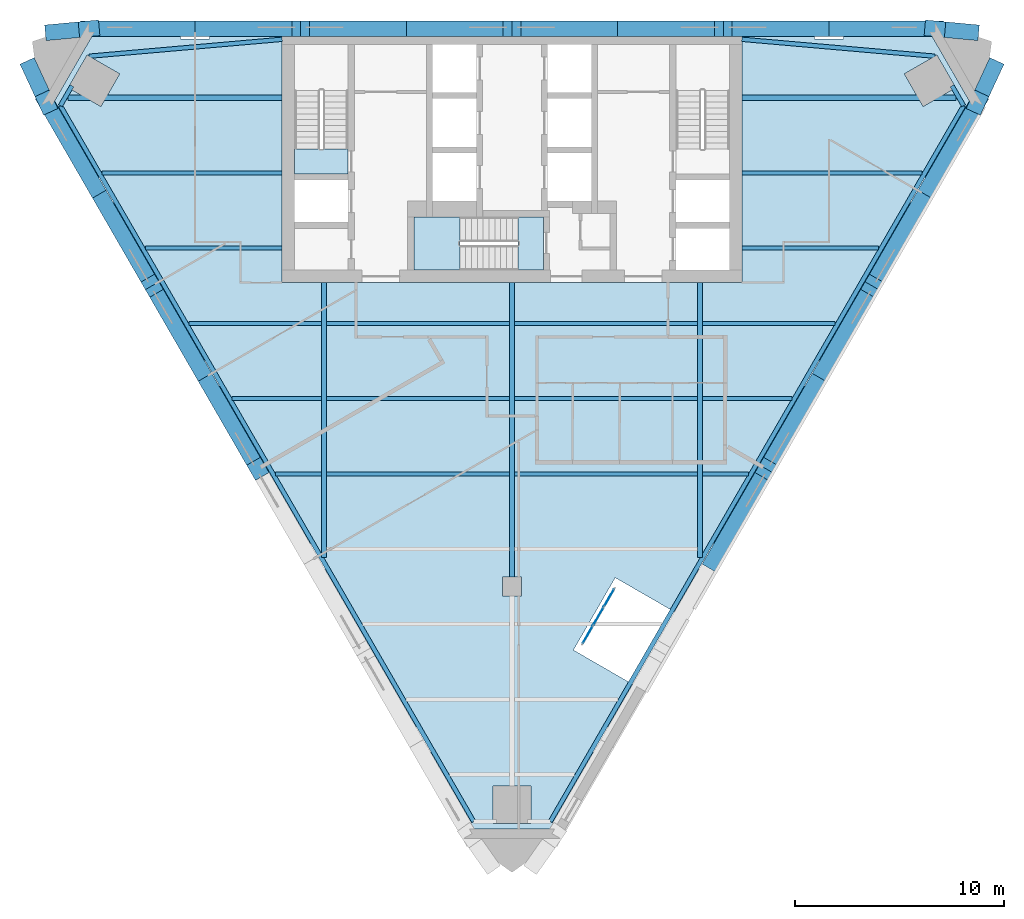
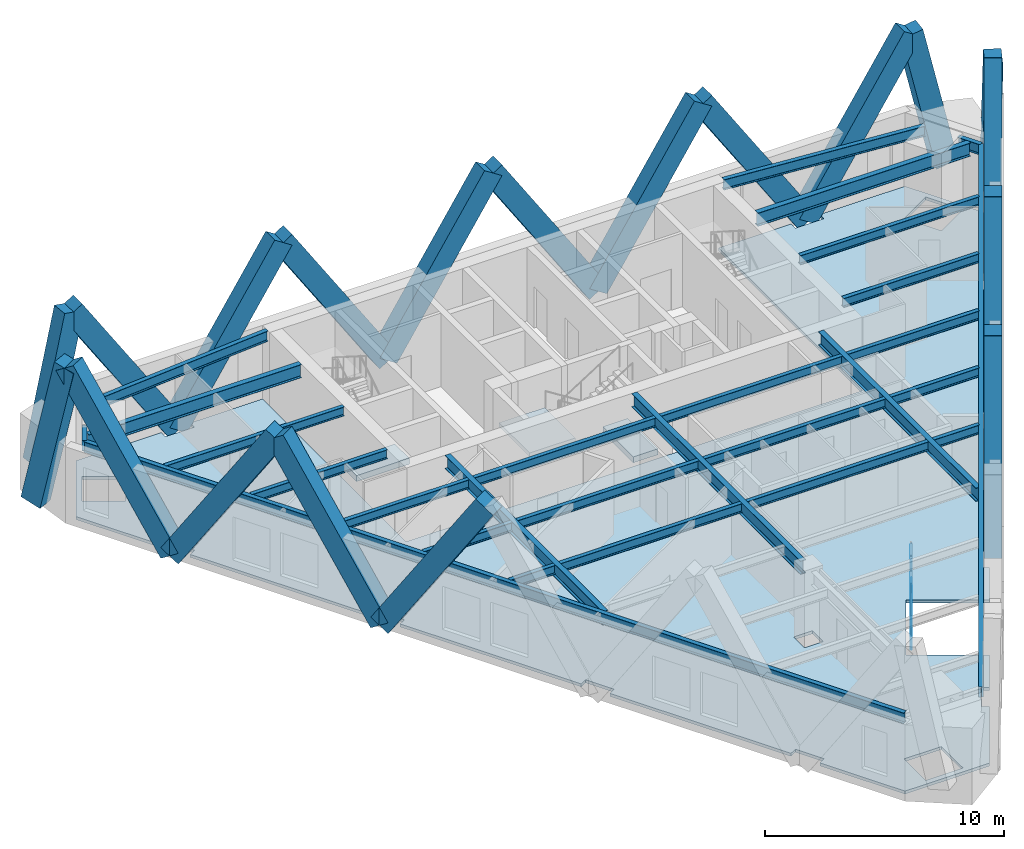
# One storey, part 3 of 11: 27 beams, 21 members, 6 plates, 4 slabs, 2 elements without a shape of their own.
"""IFC4 building model written with IfcOpenShell, lengths in metres."""

from ifc_helpers import new_model, si_unit, direction, frame, origin, origin_2d, place, context, subcontext, project, spatial, polyline, rectangle, i_section, outline, extrude, material, layer, layer_set, material_profile, profile_set, type_object, element, aggregate, save


model = new_model("IFC4")

# Units and contexts
model_context = context("Model", 3, precision=1e-05, world=origin(), true_north=direction((0.0, 1.0)))
body_context = subcontext(model_context, "Body", "Model", "MODEL_VIEW")
ifc_project = project(units=[si_unit("LENGTHUNIT", "METRE"), si_unit("AREAUNIT", "SQUARE_METRE"), si_unit("VOLUMEUNIT", "CUBIC_METRE"), si_unit("PLANEANGLEUNIT", "RADIAN"), si_unit("MASSUNIT", "GRAM", prefix="KILO")], contexts=[model_context])

# Site, building, storey
site_placement = place(None, origin())
site = spatial("IfcSite", under=ifc_project, at=site_placement, CompositionType="ELEMENT")
building_placement = place(site_placement, origin())
building = spatial("IfcBuilding", under=site, at=building_placement, Name="Aloe Facet Convention Tower", CompositionType="ELEMENT")
storey_placement = place(building_placement, frame((0.0, 0.0, 167.60009765625)))
storey = spatial("IfcBuildingStorey", under=building, at=storey_placement, Name="L42", CompositionType="ELEMENT", Elevation=167.60009765625)

# Beams
ifc_material_1 = material(Name="Steel S355", Category="steel")
ifc_material_profile_1 = material_profile(ifc_material_1, i_section(OverallWidth=0.19140625, OverallDepth=0.4599609375, WebThickness=0.010009765625, FlangeThickness=0.01611328125, FilletRadius=0.01025390625, at=origin_2d()), Name="UB 457x191x82")
ifc_profile_set_1 = profile_set([ifc_material_profile_1], Name="Steel S355")
beam_type_1 = type_object("IfcBeamType", Name="SF-B-UB457x191x82", PredefinedType="BEAM", material=ifc_profile_set_1)
beam_1_placement = place(storey_placement, frame((60.373779296875, 127.800048828125, 3.52001953125), z_axis=(1.0, 0.0, 0.0), x_axis=(0.0, 1.0, 0.0)))
element("IfcBeam", 1, at=beam_1_placement, inside=storey, type_object=beam_type_1, Name="Floor beam FB-Z3C-015", PredefinedType="BEAM", context=body_context, shape_type="SweptSolid", body=[
    extrude(i_section(OverallWidth=0.19140625, OverallDepth=0.4599609375, WebThickness=0.010009765625, FlangeThickness=0.01611328125, FilletRadius=0.01025390625, at=origin_2d()), origin(), (0.0, 0.0, 1.0), 8.626220703125),
])
beam_2_placement = place(storey_placement, frame((62.452392578125, 124.199951171875, 3.52001953125), z_axis=(1.0, 0.0, 0.0), x_axis=(0.0, 1.0, 0.0)))
element("IfcBeam", 2, at=beam_2_placement, inside=storey, type_object=beam_type_1, Name="Floor beam FB-Z3C-016", PredefinedType="BEAM", context=body_context, shape_type="SweptSolid", body=[
    extrude(i_section(OverallWidth=0.19140625, OverallDepth=0.4599609375, WebThickness=0.010009765625, FlangeThickness=0.01611328125, FilletRadius=0.01025390625, at=origin_2d()), origin(), (0.0, 0.0, 1.0), 6.547607421875),
])
beam_3_placement = place(storey_placement, frame((64.53076171875, 120.60009765625, 3.52001953125), z_axis=(1.0, 0.0, 0.0), x_axis=(0.0, 1.0, 0.0)))
element("IfcBeam", 3, at=beam_3_placement, inside=storey, type_object=beam_type_1, Name="Floor beam FB-Z3C-017", PredefinedType="BEAM", context=body_context, shape_type="SweptSolid", body=[
    extrude(i_section(OverallWidth=0.19140625, OverallDepth=0.4599609375, WebThickness=0.010009765625, FlangeThickness=0.01611328125, FilletRadius=0.01025390625, at=origin_2d()), origin(), (0.0, 0.0, 1.0), 6.3427734375),
])
beam_4_placement = place(storey_placement, frame((66.609130859375, 117.0, 3.52001953125), z_axis=(1.0, 0.0, 0.0), x_axis=(0.0, 1.0, 0.0)))
element("IfcBeam", 4, at=beam_4_placement, inside=storey, type_object=beam_type_1, Name="Floor beam FB-Z3C-018", PredefinedType="BEAM", context=body_context, shape_type="SweptSolid", body=[
    extrude(i_section(OverallWidth=0.19140625, OverallDepth=0.4599609375, WebThickness=0.010009765625, FlangeThickness=0.01611328125, FilletRadius=0.01025390625, at=origin_2d()), origin(), (0.0, 0.0, 1.0), 4.264404296875),
])
beam_5_placement = place(storey_placement, frame((68.687744140625, 113.39990234375, 3.52001953125), z_axis=(1.0, 0.0, 0.0), x_axis=(0.0, 1.0, 0.0)))
element("IfcBeam", 5, at=beam_5_placement, inside=storey, type_object=beam_type_1, Name="Floor beam FB-Z3C-019", PredefinedType="BEAM", context=body_context, shape_type="SweptSolid", body=[
    extrude(i_section(OverallWidth=0.19140625, OverallDepth=0.4599609375, WebThickness=0.010009765625, FlangeThickness=0.01611328125, FilletRadius=0.01025390625, at=origin_2d()), origin(), (0.0, 0.0, 1.0), 2.185791015625),
])
for number, where, z_axis, x_axis, name in (
    (6, (71.12646484375, 113.39990234375, 3.52001953125), (1.0, 0.0, 0.0), (0.0, 1.0, 0.0), "Floor beam FB-Z3C-021"),
    (7, (71.12646484375, 117.0, 3.52001953125), (1.0, 0.0, 0.0), (0.0, 1.0, 0.0), "Floor beam FB-Z3C-022"),
    (8, (71.12646484375, 120.60009765625, 3.52001953125), (1.0, 0.0, 0.0), (0.0, 1.0, 0.0), "Floor beam FB-Z3C-023"),
    (9, (80.12646484375, 113.39990234375, 3.52001953125), (1.0, 0.0, 0.0), (0.0, 1.0, 0.0), "Floor beam FB-Z3C-031"),
    (10, (80.12646484375, 117.0, 3.52001953125), (1.0, 0.0, 0.0), (0.0, 1.0, 0.0), "Floor beam FB-Z3C-032"),
    (11, (80.12646484375, 120.60009765625, 3.52001953125), (1.0, 0.0, 0.0), (0.0, 1.0, 0.0), "Floor beam FB-Z3C-033"),
):
    element("IfcBeam", number, at=place(storey_placement, frame(where, z_axis=z_axis, x_axis=x_axis)), inside=storey, type_object=beam_type_1, Name=name, PredefinedType="BEAM", context=body_context, shape_type="SweptSolid", body=[
        extrude(i_section(OverallWidth=0.19140625, OverallDepth=0.4599609375, WebThickness=0.010009765625, FlangeThickness=0.01611328125, FilletRadius=0.01025390625, at=origin_2d()), origin(), (0.0, 0.0, 1.0), 8.7470703125),
    ])
beam_6_placement = place(storey_placement, frame((89.12646484375, 113.39990234375, 3.52001953125), z_axis=(1.0, 0.0, 0.0), x_axis=(0.0, 1.0, 0.0)))
element("IfcBeam", 12, at=beam_6_placement, inside=storey, type_object=beam_type_1, Name="Floor beam FB-Z3C-034", PredefinedType="BEAM", context=body_context, shape_type="SweptSolid", body=[
    extrude(i_section(OverallWidth=0.19140625, OverallDepth=0.4599609375, WebThickness=0.010009765625, FlangeThickness=0.01611328125, FilletRadius=0.01025390625, at=origin_2d()), origin(), (0.0, 0.0, 1.0), 2.185791015625),
])
beam_7_placement = place(storey_placement, frame((89.12646484375, 117.0, 3.52001953125), z_axis=(1.0, 0.0, 0.0), x_axis=(0.0, 1.0, 0.0)))
element("IfcBeam", 13, at=beam_7_placement, inside=storey, type_object=beam_type_1, Name="Floor beam FB-Z3C-035", PredefinedType="BEAM", context=body_context, shape_type="SweptSolid", body=[
    extrude(i_section(OverallWidth=0.19140625, OverallDepth=0.4599609375, WebThickness=0.010009765625, FlangeThickness=0.01611328125, FilletRadius=0.01025390625, at=origin_2d()), origin(), (0.0, 0.0, 1.0), 4.264404296875),
])
beam_8_placement = place(storey_placement, frame((89.12646484375, 120.60009765625, 3.52001953125), z_axis=(1.0, 0.0, 0.0), x_axis=(0.0, 1.0, 0.0)))
element("IfcBeam", 14, at=beam_8_placement, inside=storey, type_object=beam_type_1, Name="Floor beam FB-Z3C-036", PredefinedType="BEAM", context=body_context, shape_type="SweptSolid", body=[
    extrude(i_section(OverallWidth=0.19140625, OverallDepth=0.4599609375, WebThickness=0.010009765625, FlangeThickness=0.01611328125, FilletRadius=0.01025390625, at=origin_2d()), origin(), (0.0, 0.0, 1.0), 6.3427734375),
])
beam_9_placement = place(storey_placement, frame((91.0, 124.199951171875, 3.52001953125), z_axis=(1.0, 0.0, 0.0), x_axis=(0.0, 1.0, 0.0)))
element("IfcBeam", 15, at=beam_9_placement, inside=storey, type_object=beam_type_1, Name="Floor beam FB-Z3C-037", PredefinedType="BEAM", context=body_context, shape_type="SweptSolid", body=[
    extrude(i_section(OverallWidth=0.19140625, OverallDepth=0.4599609375, WebThickness=0.010009765625, FlangeThickness=0.01611328125, FilletRadius=0.01025390625, at=origin_2d()), origin(), (0.0, 0.0, 1.0), 6.547607421875),
])
beam_10_placement = place(storey_placement, frame((91.0, 127.800048828125, 3.52001953125), z_axis=(1.0, 0.0, 0.0), x_axis=(0.0, 1.0, 0.0)))
element("IfcBeam", 16, at=beam_10_placement, inside=storey, type_object=beam_type_1, Name="Floor beam FB-Z3C-038", PredefinedType="BEAM", context=body_context, shape_type="SweptSolid", body=[
    extrude(i_section(OverallWidth=0.19140625, OverallDepth=0.4599609375, WebThickness=0.010009765625, FlangeThickness=0.01611328125, FilletRadius=0.01025390625, at=origin_2d()), origin(), (0.0, 0.0, 1.0), 8.626220703125),
])
ifc_material_2 = material(Name="Steel S355", Category="steel")
ifc_material_profile_2 = material_profile(ifc_material_2, i_section(OverallWidth=0.209228515625, OverallDepth=0.533203125, WebThickness=0.010009765625, FlangeThickness=0.015625, FilletRadius=0.0126953125, at=origin_2d()), Name="UB 533x210x92")
ifc_profile_set_2 = profile_set([ifc_material_profile_2], Name="Steel S355")
beam_type_2 = type_object("IfcBeamType", Name="SF-B-UB533x210x92", PredefinedType="BEAM", material=ifc_profile_set_2)
beam_11_placement = place(storey_placement, frame((58.385986328125, 131.016357421875, 3.4833984375), z_axis=(0.50002983664, 0.866008176907, 0.0), x_axis=(-0.866008176907, 0.50002983664, 0.0)))
element("IfcBeam", 17, at=beam_11_placement, inside=storey, type_object=beam_type_2, Name="Floor beam FB-Z3C-001", PredefinedType="BEAM", context=body_context, shape_type="SweptSolid", body=[
    extrude(i_section(OverallWidth=0.209228515625, OverallDepth=0.533203125, WebThickness=0.010009765625, FlangeThickness=0.015625, FilletRadius=0.0126953125, at=origin_2d()), origin(), (0.0, 0.0, 1.0), 1.10009765625),
])
beam_12_placement = place(storey_placement, frame((59.75390625, 133.38525390625, 3.4833984375), z_axis=(0.996184118201, 0.087276587035, 0.0), x_axis=(-0.087276587035, 0.996184118201, 0.0)))
element("IfcBeam", 18, at=beam_12_placement, inside=storey, type_object=beam_type_2, Name="Floor beam FB-Z3C-002", PredefinedType="BEAM", context=body_context, shape_type="SweptSolid", body=[
    extrude(i_section(OverallWidth=0.209228515625, OverallDepth=0.533203125, WebThickness=0.010009765625, FlangeThickness=0.015625, FilletRadius=0.0126953125, at=origin_2d()), origin(), (0.0, 0.0, 1.0), 9.281494140625),
])
beam_13_placement = place(storey_placement, frame((78.16455078125, 96.7587890625, 3.4833984375), z_axis=(-0.499999016722, 0.866025971479, 0.0), x_axis=(-0.866025971479, -0.499999016722, 0.0)))
element("IfcBeam", 19, at=beam_13_placement, inside=storey, type_object=beam_type_2, Name="Floor beam FB-Z3C-003", PredefinedType="BEAM", context=body_context, shape_type="SweptSolid", body=[
    extrude(i_section(OverallWidth=0.209228515625, OverallDepth=0.533203125, WebThickness=0.010009765625, FlangeThickness=0.015625, FilletRadius=0.0126953125, at=origin_2d()), origin(), (0.0, 0.0, 1.0), 39.55712890625),
])
beam_14_placement = place(storey_placement, frame((100.24609375, 133.38525390625, 3.4833984375), z_axis=(-0.996184118201, 0.087276587035, 0.0), x_axis=(-0.087276587035, -0.996184118201, 0.0)))
element("IfcBeam", 20, at=beam_14_placement, inside=storey, type_object=beam_type_2, Name="Floor beam FB-Z3C-006", PredefinedType="BEAM", context=body_context, shape_type="SweptSolid", body=[
    extrude(i_section(OverallWidth=0.209228515625, OverallDepth=0.533203125, WebThickness=0.010009765625, FlangeThickness=0.015625, FilletRadius=0.0126953125, at=origin_2d()), origin(), (0.0, 0.0, 1.0), 9.281494140625),
])
beam_15_placement = place(storey_placement, frame((101.06396484375, 131.968994140625, 3.4833984375), z_axis=(0.50002983664, -0.866008176907, 0.0), x_axis=(0.866008176907, 0.50002983664, 0.0)))
element("IfcBeam", 21, at=beam_15_placement, inside=storey, type_object=beam_type_2, Name="Floor beam FB-Z3C-007", PredefinedType="BEAM", context=body_context, shape_type="SweptSolid", body=[
    extrude(i_section(OverallWidth=0.209228515625, OverallDepth=0.533203125, WebThickness=0.010009765625, FlangeThickness=0.015625, FilletRadius=0.0126953125, at=origin_2d()), origin(), (0.0, 0.0, 1.0), 1.10009765625),
])
beam_16_placement = place(storey_placement, frame((101.614013671875, 131.016357421875, 3.4833984375), z_axis=(-0.499999016722, -0.866025971479, 0.0), x_axis=(0.866025971479, -0.499999016722, 0.0)))
element("IfcBeam", 22, at=beam_16_placement, inside=storey, type_object=beam_type_2, Name="Floor beam FB-Z3C-008", PredefinedType="BEAM", context=body_context, shape_type="SweptSolid", body=[
    extrude(i_section(OverallWidth=0.209228515625, OverallDepth=0.533203125, WebThickness=0.010009765625, FlangeThickness=0.015625, FilletRadius=0.0126953125, at=origin_2d()), origin(), (0.0, 0.0, 1.0), 39.55712890625),
])
ifc_material_3 = material(Name="Steel S355", Category="steel")
ifc_material_profile_3 = material_profile(ifc_material_3, i_section(OverallWidth=0.2529296875, OverallDepth=0.677978515625, WebThickness=0.01171875, FlangeThickness=0.01611328125, FilletRadius=0.01513671875, at=origin_2d()), Name="UB 686x254x125")
ifc_profile_set_3 = profile_set([ifc_material_profile_3], Name="Steel S355")
beam_type_3 = type_object("IfcBeamType", Name="SF-B-UB686x254x125", PredefinedType="BEAM", material=ifc_profile_set_3)
beam_17_placement = place(storey_placement, frame((58.73828125, 131.39990234375, 3.410888671875), z_axis=(1.0, 0.0, 0.0), x_axis=(0.0, 1.0, 0.0)))
element("IfcBeam", 23, at=beam_17_placement, inside=storey, type_object=beam_type_3, Name="Floor beam FB-Z3C-009", PredefinedType="BEAM", context=body_context, shape_type="SweptSolid", body=[
    extrude(i_section(OverallWidth=0.2529296875, OverallDepth=0.677978515625, WebThickness=0.01171875, FlangeThickness=0.01611328125, FilletRadius=0.01513671875, at=origin_2d()), origin(), (0.0, 0.0, 1.0), 10.26171875),
])
beam_18_placement = place(storey_placement, frame((71.0, 122.550048828125, 3.410888671875), z_axis=(0.0, -1.0, 0.0), x_axis=(1.0, 0.0, 0.0)))
element("IfcBeam", 24, at=beam_18_placement, inside=storey, type_object=beam_type_3, Name="Floor beam FB-Z3C-010", PredefinedType="BEAM", context=body_context, shape_type="SweptSolid", body=[
    extrude(i_section(OverallWidth=0.2529296875, OverallDepth=0.677978515625, WebThickness=0.01171875, FlangeThickness=0.01611328125, FilletRadius=0.01513671875, at=origin_2d()), origin(), (0.0, 0.0, 1.0), 13.162353515625),
])
beam_19_placement = place(storey_placement, frame((80.0, 122.550048828125, 3.410888671875), z_axis=(0.0, -1.0, 0.0), x_axis=(1.0, 0.0, 0.0)))
element("IfcBeam", 25, at=beam_19_placement, inside=storey, type_object=beam_type_3, Name="Floor beam FB-Z3C-012", PredefinedType="BEAM", context=body_context, shape_type="SweptSolid", body=[
    extrude(i_section(OverallWidth=0.2529296875, OverallDepth=0.677978515625, WebThickness=0.01171875, FlangeThickness=0.01611328125, FilletRadius=0.01513671875, at=origin_2d()), origin(), (0.0, 0.0, 1.0), 14.10009765625),
])
beam_20_placement = place(storey_placement, frame((89.0, 122.550048828125, 3.410888671875), z_axis=(0.0, -1.0, 0.0), x_axis=(1.0, 0.0, 0.0)))
element("IfcBeam", 26, at=beam_20_placement, inside=storey, type_object=beam_type_3, Name="Floor beam FB-Z3C-013", PredefinedType="BEAM", context=body_context, shape_type="SweptSolid", body=[
    extrude(i_section(OverallWidth=0.2529296875, OverallDepth=0.677978515625, WebThickness=0.01171875, FlangeThickness=0.01611328125, FilletRadius=0.01513671875, at=origin_2d()), origin(), (0.0, 0.0, 1.0), 13.162353515625),
])
beam_21_placement = place(storey_placement, frame((91.0, 131.39990234375, 3.410888671875), z_axis=(1.0, 0.0, 0.0), x_axis=(0.0, 1.0, 0.0)))
element("IfcBeam", 27, at=beam_21_placement, inside=storey, type_object=beam_type_3, Name="Floor beam FB-Z3C-014", PredefinedType="BEAM", context=body_context, shape_type="SweptSolid", body=[
    extrude(i_section(OverallWidth=0.2529296875, OverallDepth=0.677978515625, WebThickness=0.01171875, FlangeThickness=0.01611328125, FilletRadius=0.01513671875, at=origin_2d()), origin(), (0.0, 0.0, 1.0), 10.26171875),
])

# Members
ifc_material_4 = material(Name="Concrete C60/75, bronze oxide finish", Category="concrete")
ifc_material_profile_4 = material_profile(ifc_material_4, rectangle(XDim=0.75, YDim=1.0, at=origin_2d()), Name="STW-LM")
ifc_profile_set_4 = profile_set([ifc_material_profile_4], Name="Concrete C60/75, bronze oxide finish")
member_type = type_object("IfcMemberType", Name="STW-LM", PredefinedType="BRACE", material=ifc_profile_set_4)
for number, where, z_axis, x_axis, name in (
    (28, (95.182373046875, 134.699951171875, 0.0), (0.54430149187, 0.0, 0.838889674479), (0.0, 1.0, 0.0), "Lattice member LM-Z3-F1-R5-01"),
    (29, (95.182373046875, 134.699951171875, 0.0), (-0.54430149187, 0.0, 0.838889674479), (0.0, -1.0, 0.0), "Lattice member LM-Z3-F1-R5-02"),
    (30, (85.060791015625, 134.699951171875, 0.0), (0.54430149187, 0.0, 0.838889674479), (0.0, 1.0, 0.0), "Lattice member LM-Z3-F1-R5-03"),
    (31, (85.060791015625, 134.699951171875, 0.0), (-0.54430149187, 0.0, 0.838889674479), (0.0, -1.0, 0.0), "Lattice member LM-Z3-F1-R5-04"),
    (32, (74.939208984375, 134.699951171875, 0.0), (0.54430149187, 0.0, 0.838889674479), (0.0, 1.0, 0.0), "Lattice member LM-Z3-F1-R5-05"),
    (33, (74.939208984375, 134.699951171875, 0.0), (-0.54430149187, 0.0, 0.838889674479), (0.0, -1.0, 0.0), "Lattice member LM-Z3-F1-R5-06"),
    (34, (64.817626953125, 134.699951171875, 0.0), (0.54430149187, 0.0, 0.838889674479), (0.0, 1.0, 0.0), "Lattice member LM-Z3-F1-R5-07"),
    (35, (64.817626953125, 134.699951171875, 0.0), (-0.54430149187, 0.0, 0.838889674479), (0.0, -1.0, 0.0), "Lattice member LM-Z3-F1-R5-08"),
    (36, (60.2470703125, 126.783447265625, 0.0), (-0.272138052355, 0.471383859115, 0.838891016656), (-0.866037770685, -0.499978579288, 0.0), "Lattice member LM-Z3-F2-R5-01"),
):
    element("IfcMember", number, at=place(storey_placement, frame(where, z_axis=z_axis, x_axis=x_axis)), inside=storey, type_object=member_type, Name=name, PredefinedType="BRACE", context=body_context, shape_type="SweptSolid", body=[
        extrude(rectangle(XDim=0.75, YDim=1.0, at=origin_2d()), origin(), (0.0, 0.0, 1.0), 9.2978515625),
    ])
member_1_placement = place(storey_placement, frame((60.2470703125, 126.783447265625, 0.0), z_axis=(0.272165734101, -0.471360066844, 0.838895405021), x_axis=(0.866004820053, 0.500035650373, 0.0)))
element("IfcMember", 37, at=member_1_placement, inside=storey, type_object=member_type, Name="Lattice member LM-Z3-F2-R5-02", PredefinedType="BRACE", context=body_context, shape_type="SweptSolid", body=[
    extrude(rectangle(XDim=0.75, YDim=1.0, at=origin_2d()), origin(), (0.0, 0.0, 1.0), 9.297607421875),
])
for number, where, z_axis, x_axis, name in (
    (38, (65.307861328125, 118.01806640625, 0.0), (-0.272138052355, 0.471383859115, 0.838891016656), (-0.866037770685, -0.499978579288, 0.0), "Lattice member LM-Z3-F2-R5-03"),
    (39, (65.307861328125, 118.01806640625, 0.0), (0.272162365462, -0.471380490572, 0.83888502188), (0.866016881694, 0.500014760403, 0.0), "Lattice member LM-Z3-F2-R5-04"),
    (40, (89.63134765625, 109.25244140625, 0.0), (0.272138052355, 0.471383859115, 0.838891016656), (-0.866037770685, 0.499978579288, 0.0), "Lattice member LM-Z3-F3-R5-04"),
    (41, (94.692138671875, 118.01806640625, 0.0), (-0.272162365462, -0.471380490572, 0.83888502188), (0.866016881694, -0.500014760403, 0.0), "Lattice member LM-Z3-F3-R5-05"),
    (42, (94.692138671875, 118.01806640625, 0.0), (0.272138052355, 0.471383859115, 0.838891016656), (-0.866037770685, 0.499978579288, 0.0), "Lattice member LM-Z3-F3-R5-06"),
):
    element("IfcMember", number, at=place(storey_placement, frame(where, z_axis=z_axis, x_axis=x_axis)), inside=storey, type_object=member_type, Name=name, PredefinedType="BRACE", context=body_context, shape_type="SweptSolid", body=[
        extrude(rectangle(XDim=0.75, YDim=1.0, at=origin_2d()), origin(), (0.0, 0.0, 1.0), 9.2978515625),
    ])
member_2_placement = place(storey_placement, frame((99.7529296875, 126.783447265625, 0.0), z_axis=(-0.272165734101, -0.471360066844, 0.838895405021), x_axis=(0.866004820053, -0.500035650373, 0.0)))
element("IfcMember", 43, at=member_2_placement, inside=storey, type_object=member_type, Name="Lattice member LM-Z3-F3-R5-07", PredefinedType="BRACE", context=body_context, shape_type="SweptSolid", body=[
    extrude(rectangle(XDim=0.75, YDim=1.0, at=origin_2d()), origin(), (0.0, 0.0, 1.0), 9.297607421875),
])
member_3_placement = place(storey_placement, frame((99.7529296875, 126.783447265625, 0.0), z_axis=(0.272138052355, 0.471383859115, 0.838891016656), x_axis=(-0.866037770685, 0.499978579288, 0.0)))
element("IfcMember", 44, at=member_3_placement, inside=storey, type_object=member_type, Name="Lattice member LM-Z3-F3-R5-08", PredefinedType="BRACE", context=body_context, shape_type="SweptSolid", body=[
    extrude(rectangle(XDim=0.75, YDim=1.0, at=origin_2d()), origin(), (0.0, 0.0, 1.0), 9.2978515625),
])
member_4_placement = place(storey_placement, frame((103.002685546875, 132.718017578125, 0.244140625), z_axis=(-0.092874204505, -0.200308260548, 0.975320964039), x_axis=(0.907226918438, -0.420641555795, 0.0)))
element("IfcMember", 45, at=member_4_placement, inside=storey, type_object=member_type, Name="Lattice member LM-Z3-F6-R4-05", PredefinedType="BRACE", context=body_context, shape_type="SweptSolid", body=[
    extrude(rectangle(XDim=0.75, YDim=1.0, at=origin_2d()), origin(), (0.0, 0.0, 1.0), 7.746826171875),
])
for number, where, z_axis, x_axis, name in (
    (46, (101.84814453125, 134.5498046875, 0.6982421875), (-0.220397207405, 0.020618235862, 0.975192267872), (-0.093143656559, -0.995652680026, 0.0), "Lattice member LM-Z3-F6-R4-06"),
    (47, (58.15185546875, 134.5498046875, 0.6982421875), (0.220397207405, 0.020618235862, 0.975192267872), (-0.093143656559, 0.995652680026, 0.0), "Lattice member LM-Z3-F4-R4-05"),
):
    element("IfcMember", number, at=place(storey_placement, frame(where, z_axis=z_axis, x_axis=x_axis)), inside=storey, type_object=member_type, Name=name, PredefinedType="BRACE", context=body_context, shape_type="SweptSolid", body=[
        extrude(rectangle(XDim=0.75, YDim=1.0, at=origin_2d()), origin(), (0.0, 0.0, 1.0), 7.2822265625),
    ])
member_5_placement = place(storey_placement, frame((56.997314453125, 132.718017578125, 0.244140625), z_axis=(0.092874204505, -0.200308260548, 0.975320964039), x_axis=(0.907226918438, 0.420641555795, 0.0)))
element("IfcMember", 48, at=member_5_placement, inside=storey, type_object=member_type, Name="Lattice member LM-Z3-F4-R4-06", PredefinedType="BRACE", context=body_context, shape_type="SweptSolid", body=[
    extrude(rectangle(XDim=0.75, YDim=1.0, at=origin_2d()), origin(), (0.0, 0.0, 1.0), 7.746826171875),
])

# Slabs
ifc_material_5 = material(Name="Concrete C60/75", Category="concrete")
ifc_layer_1 = layer(ifc_material_5, 0.300048828125)
ifc_layer_set_1 = layer_set([ifc_layer_1], Name="CR-S-FLOOR300-C6075")
slab_type_1 = type_object("IfcSlabType", Name="CR-S-FLOOR300-C6075", PredefinedType="FLOOR", material=ifc_layer_set_1)
slab_1_placement = place(storey_placement, frame((0.0, 0.0, -0.300048828125)))
element("IfcSlab", 49, at=slab_1_placement, inside=storey, type_object=slab_type_1, Name="Stair landing floor L42", PredefinedType="FLOOR", context=body_context, shape_type="SweptSolid", body=[
    extrude(outline(polyline([(72.14990234375, 127.75), (72.14990234375, 128.951171875), (69.60009765625, 128.951171875), (69.60009765625, 127.75), (72.14990234375, 127.75)])), origin(), (0.0, 0.0, 1.0), 0.300048828125),
])
slab_2_placement = place(storey_placement, frame((0.0, 0.0, -0.300048828125)))
element("IfcSlab", 50, at=slab_2_placement, inside=storey, type_object=slab_type_1, Name="Stair landing floor L42", PredefinedType="FLOOR", context=body_context, shape_type="SweptSolid", body=[
    extrude(outline(polyline([(81.5, 125.699951171875), (80.298828125, 125.699951171875), (80.298828125, 123.14990234375), (81.5, 123.14990234375), (81.5, 125.699951171875)])), origin(), (0.0, 0.0, 1.0), 0.300048828125),
])

# Stair, slab
ifc_material_6 = material(Name="Concrete C50/60", Category="concrete")
stair_type = type_object("IfcStairType", Name="CR-ST-22R", PredefinedType="HALF_TURN_STAIR", material=ifc_material_6)
stair_placement = place(storey_placement, origin())
stair = element("IfcStair", 51, at=stair_placement, inside=storey, type_object=stair_type, Name="L42 Protected exit stair ST3", PredefinedType="HALF_TURN_STAIR")
ifc_material_7 = material(Name="Concrete C50/60", Category="concrete")
ifc_layer_2 = layer(ifc_material_7, 0.199951171875)
ifc_layer_set_2 = layer_set([ifc_layer_2], Name="CR-SL-LANDING")
slab_type_2 = type_object("IfcSlabType", Name="CR-SL-LANDING", PredefinedType="LANDING", material=ifc_layer_set_2)
slab_3_placement = place(storey_placement, frame((0.0, 0.0, 1.75)))
slab_3 = element("IfcSlab", 52, at=slab_3_placement, type_object=slab_type_2, Name="ST3 landing 1", PredefinedType="LANDING", context=body_context, shape_type="SweptSolid", body=[
    extrude(outline(polyline([(77.5, 125.699951171875), (75.300048828125, 125.699951171875), (75.300048828125, 123.14990234375), (77.5, 123.14990234375), (77.5, 125.699951171875)])), origin(), (0.0, 0.0, 1.0), 0.199951171875),
])
aggregate(stair, [slab_3])

# Curtain wall, plates
ifc_material_8 = material(Name="Aluminium, anodised", Category="aluminium")
curtain_wall_type = type_object("IfcCurtainWallType", Name="EV-CW-TERRACE", PredefinedType="USERDEFINED", material=ifc_material_8)
curtain_wall_placement = place(storey_placement, origin())
curtain_wall = element("IfcCurtainWall", 53, at=curtain_wall_placement, inside=storey, type_object=curtain_wall_type, Name="CW-T09", ObjectType="TERRACE BACK GLAZING", PredefinedType="USERDEFINED")
ifc_material_9 = material(Name="Clear double glazing", Category="glass")
ifc_layer_3 = layer(ifc_material_9, 0.028076171875)
ifc_layer_set_3 = layer_set([ifc_layer_3], Name="EV-PANEL-TERRACE")
plate_type = type_object("IfcPlateType", Name="EV-PANEL-TERRACE", PredefinedType="CURTAIN_PANEL", material=ifc_layer_set_3)
plate_1_placement = place(storey_placement, frame((83.625732421875, 105.700439453125, -0.090087890625), z_axis=(0.0, 0.0, 1.0), x_axis=(0.49999999997, 0.866025403802, 0.0)))
plate_1 = element("IfcPlate", 54, at=plate_1_placement, type_object=plate_type, Name="CW-T09 panel 1.1", PredefinedType="CURTAIN_PANEL", context=body_context, shape_type="SweptSolid", body=[
    extrude(rectangle(XDim=0.943359375, YDim=0.028076171875, at=origin_2d()), origin(), (0.0, 0.0, 1.0), 1.6298828125),
])
plate_2_placement = place(storey_placement, frame((83.625732421875, 105.700439453125, 1.599853515625), z_axis=(0.0, 0.0, 1.0), x_axis=(0.49999999997, 0.866025403802, 0.0)))
plate_2 = element("IfcPlate", 55, at=plate_2_placement, type_object=plate_type, Name="CW-T09 panel 1.2", PredefinedType="CURTAIN_PANEL", context=body_context, shape_type="SweptSolid", body=[
    extrude(rectangle(XDim=0.943359375, YDim=0.028076171875, at=origin_2d()), origin(), (0.0, 0.0, 1.0), 1.6298828125),
])
plate_3_placement = place(storey_placement, frame((84.134765625, 106.582275390625, -0.090087890625), z_axis=(0.0, 0.0, 1.0), x_axis=(0.49999999997, 0.866025403802, 0.0)))
plate_3 = element("IfcPlate", 56, at=plate_3_placement, type_object=plate_type, Name="CW-T09 panel 2.1", PredefinedType="CURTAIN_PANEL", context=body_context, shape_type="SweptSolid", body=[
    extrude(rectangle(XDim=0.973388671875, YDim=0.028076171875, at=origin_2d()), origin(), (0.0, 0.0, 1.0), 1.6298828125),
])
plate_4_placement = place(storey_placement, frame((84.134765625, 106.582275390625, 1.599853515625), z_axis=(0.0, 0.0, 1.0), x_axis=(0.49999999997, 0.866025403802, 0.0)))
plate_4 = element("IfcPlate", 57, at=plate_4_placement, type_object=plate_type, Name="CW-T09 panel 2.2", PredefinedType="CURTAIN_PANEL", context=body_context, shape_type="SweptSolid", body=[
    extrude(rectangle(XDim=0.973388671875, YDim=0.028076171875, at=origin_2d()), origin(), (0.0, 0.0, 1.0), 1.6298828125),
])
plate_5_placement = place(storey_placement, frame((84.64404296875, 107.464111328125, -0.090087890625), z_axis=(0.0, 0.0, 1.0), x_axis=(0.49999999997, 0.866025403802, 0.0)))
plate_5 = element("IfcPlate", 58, at=plate_5_placement, type_object=plate_type, Name="CW-T09 panel 3.1", PredefinedType="CURTAIN_PANEL", context=body_context, shape_type="SweptSolid", body=[
    extrude(rectangle(XDim=0.943359375, YDim=0.028076171875, at=origin_2d()), origin(), (0.0, 0.0, 1.0), 1.6298828125),
])
plate_6_placement = place(storey_placement, frame((84.64404296875, 107.464111328125, 1.599853515625), z_axis=(0.0, 0.0, 1.0), x_axis=(0.49999999997, 0.866025403802, 0.0)))
plate_6 = element("IfcPlate", 59, at=plate_6_placement, type_object=plate_type, Name="CW-T09 panel 3.2", PredefinedType="CURTAIN_PANEL", context=body_context, shape_type="SweptSolid", body=[
    extrude(rectangle(XDim=0.943359375, YDim=0.028076171875, at=origin_2d()), origin(), (0.0, 0.0, 1.0), 1.6298828125),
])
aggregate(curtain_wall, [plate_1, plate_2, plate_3, plate_4, plate_5, plate_6])

# Slab
ifc_material_10 = material(Name="Concrete C35/45", Category="concrete")
ifc_layer_4 = layer(ifc_material_10, 0.14990234375)
ifc_layer_set_4 = layer_set([ifc_layer_4], Name="SF-FS-150")
slab_type_3 = type_object("IfcSlabType", Name="SF-FS-150", PredefinedType="FLOOR", material=ifc_layer_set_4)
slab_4_placement = place(storey_placement, frame((0.0, 0.0, -0.150146484375)))
element("IfcSlab", 60, at=slab_4_placement, inside=storey, type_object=slab_type_3, Name="Floor slab L42-1", PredefinedType="FLOOR", context=body_context, shape_type="SweptSolid", body=[
    extrude(outline(polyline([(77.959716796875, 96.404296875), (75.906005859375, 99.96142578125), (76.208984375, 100.136474609375), (75.97802734375, 100.536865234375), (75.71533203125, 100.99169921875), (75.564453125, 101.253173828125), (75.515869140625, 101.33740234375), (75.212646484375, 101.16259765625), (70.84521484375, 108.72705078125), (71.148193359375, 108.902099609375), (71.099609375, 108.986328125), (71.050048828125, 109.072509765625), (70.917236328125, 109.30224609375), (70.455078125, 110.10302734375), (70.15185546875, 109.927978515625), (65.784423828125, 117.49267578125), (66.087646484375, 117.66748046875), (66.038818359375, 117.751708984375), (65.86865234375, 118.046630859375), (65.8564453125, 118.06787109375), (65.8564453125, 118.06787109375), (65.394287109375, 118.868408203125), (65.091064453125, 118.693603515625), (60.7236328125, 126.258056640625), (61.02685546875, 126.43310546875), (60.68017578125, 127.033447265625), (60.626708984375, 127.1259765625), (60.564453125, 127.233642578125), (60.382080078125, 127.5498046875), (60.33349609375, 127.634033203125), (60.0302734375, 127.458984375), (57.9765625, 131.016357421875), (60.0166015625, 134.550048828125), (64.124267578125, 134.550048828125), (64.124267578125, 134.199951171875), (64.2216796875, 134.199951171875), (64.58642578125, 134.199951171875), (64.817626953125, 134.199951171875), (65.048828125, 134.199951171875), (65.413818359375, 134.199951171875), (65.510986328125, 134.199951171875), (65.510986328125, 134.550048828125), (69.0, 134.550048828125), (69.0, 128.050048828125), (69.0, 127.14990234375), (69.0, 125.75), (69.0, 124.85009765625), (69.0, 122.550048828125), (71.85009765625, 122.550048828125), (72.75, 122.550048828125), (74.699951171875, 122.550048828125), (75.60009765625, 122.550048828125), (81.199951171875, 122.550048828125), (82.10009765625, 122.550048828125), (84.39990234375, 122.550048828125), (85.300048828125, 122.550048828125), (87.25, 122.550048828125), (88.14990234375, 122.550048828125), (91.0, 122.550048828125), (91.0, 124.85009765625), (91.0, 125.75), (91.0, 127.14990234375), (91.0, 128.050048828125), (91.0, 134.550048828125), (94.489013671875, 134.550048828125), (94.489013671875, 134.199951171875), (94.586181640625, 134.199951171875), (94.951171875, 134.199951171875), (95.182373046875, 134.199951171875), (95.41357421875, 134.199951171875), (95.7783203125, 134.199951171875), (95.875732421875, 134.199951171875), (95.875732421875, 134.550048828125), (99.9833984375, 134.550048828125), (102.0234375, 131.016357421875), (99.9697265625, 127.458984375), (99.66650390625, 127.634033203125), (99.617919921875, 127.5498046875), (99.31982421875, 127.033447265625), (99.108154296875, 126.666748046875), (98.97314453125, 126.43310546875), (99.2763671875, 126.258056640625), (94.908935546875, 118.693603515625), (94.605712890625, 118.868408203125), (94.55712890625, 118.7841796875), (94.374755859375, 118.46826171875), (94.259033203125, 118.26806640625), (94.1435546875, 118.06787109375), (93.961181640625, 117.751708984375), (93.912353515625, 117.66748046875), (94.215576171875, 117.49267578125), (89.84814453125, 109.927978515625), (89.544921875, 110.10302734375), (89.496337890625, 110.018798828125), (89.3740234375, 109.806884765625), (89.31396484375, 109.70263671875), (89.1982421875, 109.50244140625), (89.14599609375, 109.411865234375), (88.900390625, 108.986328125), (88.851806640625, 108.902099609375), (89.15478515625, 108.72705078125), (87.97119140625, 106.6767578125), (84.93994140625, 108.4267578125), (82.93994140625, 104.962646484375), (85.97119140625, 103.212646484375), (84.787353515625, 101.16259765625), (84.484130859375, 101.33740234375), (84.435546875, 101.253173828125), (84.313232421875, 101.04150390625), (84.253173828125, 100.937255859375), (83.791015625, 100.136474609375), (84.093994140625, 99.96142578125), (82.040283203125, 96.404296875), (77.959716796875, 96.404296875)]), holes=[polyline([(61.221923828125, 132.53759765625), (59.6630859375, 133.4375), (58.76318359375, 131.878662109375), (60.322021484375, 130.978759765625), (61.221923828125, 132.53759765625)]), polyline([(79.10009765625, 98.4541015625), (79.10009765625, 96.654296875), (80.89990234375, 96.654296875), (80.89990234375, 98.4541015625), (79.10009765625, 98.4541015625)]), polyline([(79.550048828125, 107.550048828125), (80.449951171875, 107.550048828125), (80.449951171875, 108.449951171875), (79.550048828125, 108.449951171875), (79.550048828125, 107.550048828125)]), polyline([(99.677978515625, 130.978759765625), (101.23681640625, 131.878662109375), (100.3369140625, 133.4375), (98.778076171875, 132.53759765625), (99.677978515625, 130.978759765625)])]), origin(), (0.0, 0.0, 1.0), 0.150146484375),
])

save(model, "model.ifc")
